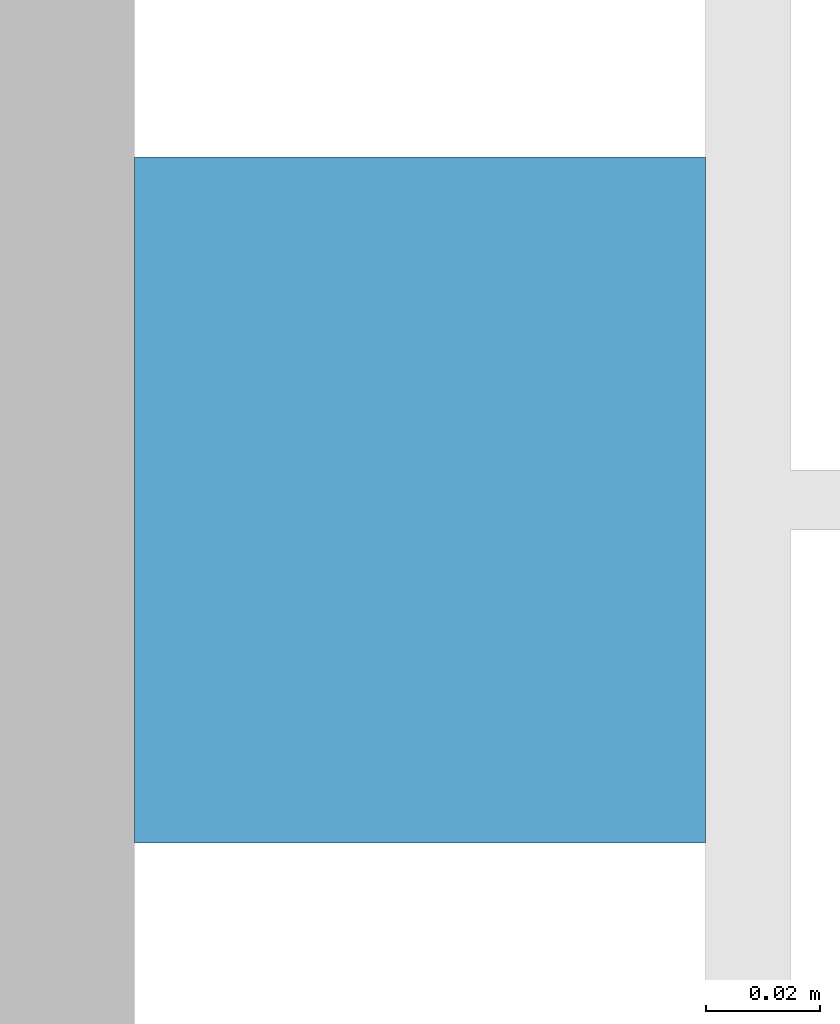
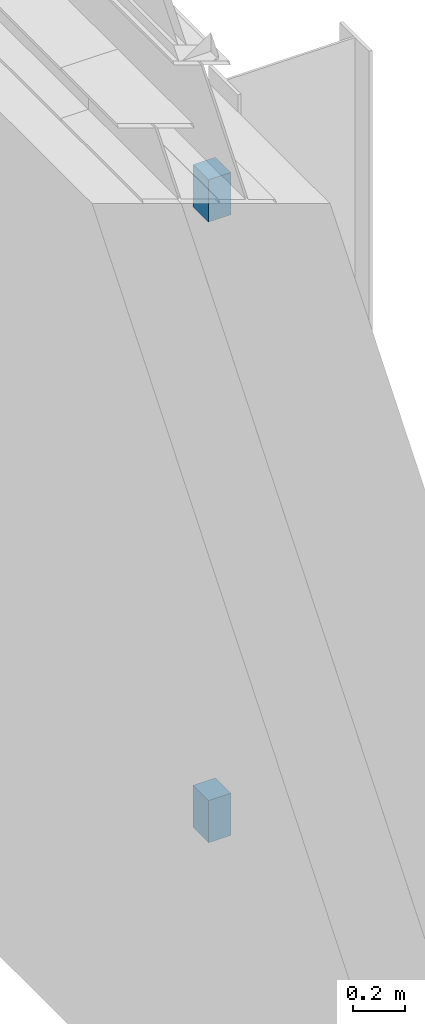
# One storey, part 209 of 646: 2 discrete accessories.
"""IFC4 building model written with IfcOpenShell, lengths in metres."""

from ifc_helpers import new_model, si_unit, direction, frame, origin, origin_2d, place, context, subcontext, project, spatial, rectangle, extrude, material, type_object, element, save


model = new_model("IFC4")

# Units and contexts
model_context = context("Model", 3, precision=1e-05, world=origin(), true_north=direction((0.0, 1.0)))
body_context = subcontext(model_context, "Body", "Model", "MODEL_VIEW")
ifc_project = project(units=[si_unit("LENGTHUNIT", "METRE"), si_unit("AREAUNIT", "SQUARE_METRE"), si_unit("VOLUMEUNIT", "CUBIC_METRE"), si_unit("PLANEANGLEUNIT", "RADIAN"), si_unit("MASSUNIT", "GRAM", prefix="KILO")], contexts=[model_context])

# Site, building, storey
site_placement = place(None, origin())
site = spatial("IfcSite", under=ifc_project, at=site_placement, CompositionType="ELEMENT")
building_placement = place(site_placement, origin())
building = spatial("IfcBuilding", under=site, at=building_placement, Name="Silverbay Arena", CompositionType="ELEMENT")
storey_placement = place(building_placement, frame((0.0, 0.0, 33.5)))
storey = spatial("IfcBuildingStorey", under=building, at=storey_placement, Name="L05", CompositionType="ELEMENT", Elevation=33.5)

# Discrete accessories
ifc_material = material(Name="Steel S355", Category="steel")
discrete_accessory_type = type_object("IfcDiscreteAccessoryType", Name="Steel bracket plate", PredefinedType="BRACKET", material=ifc_material)
for number, where, z_axis, x_axis, name in (
    (1, (207.550048828125, 22.5, 0.39990234375), (0.0, 0.0, 1.0), (1.0, 0.0, 0.0), "Fin bracket"),
    (2, (207.550048828125, 22.5, 3.33984375), (0.0, 0.0, 1.0), (1.0, 0.0, 0.0), "Fin bracket"),
):
    element("IfcDiscreteAccessory", number, at=place(storey_placement, frame(where, z_axis=z_axis, x_axis=x_axis)), inside=storey, type_object=discrete_accessory_type, Name=name, PredefinedType="BRACKET", context=body_context, shape_type="SweptSolid", body=[
        extrude(rectangle(XDim=0.10009765625, YDim=0.1201171875, at=origin_2d()), origin(), (0.0, 0.0, 1.0), 0.199951171875),
    ])

save(model, "model.ifc")
